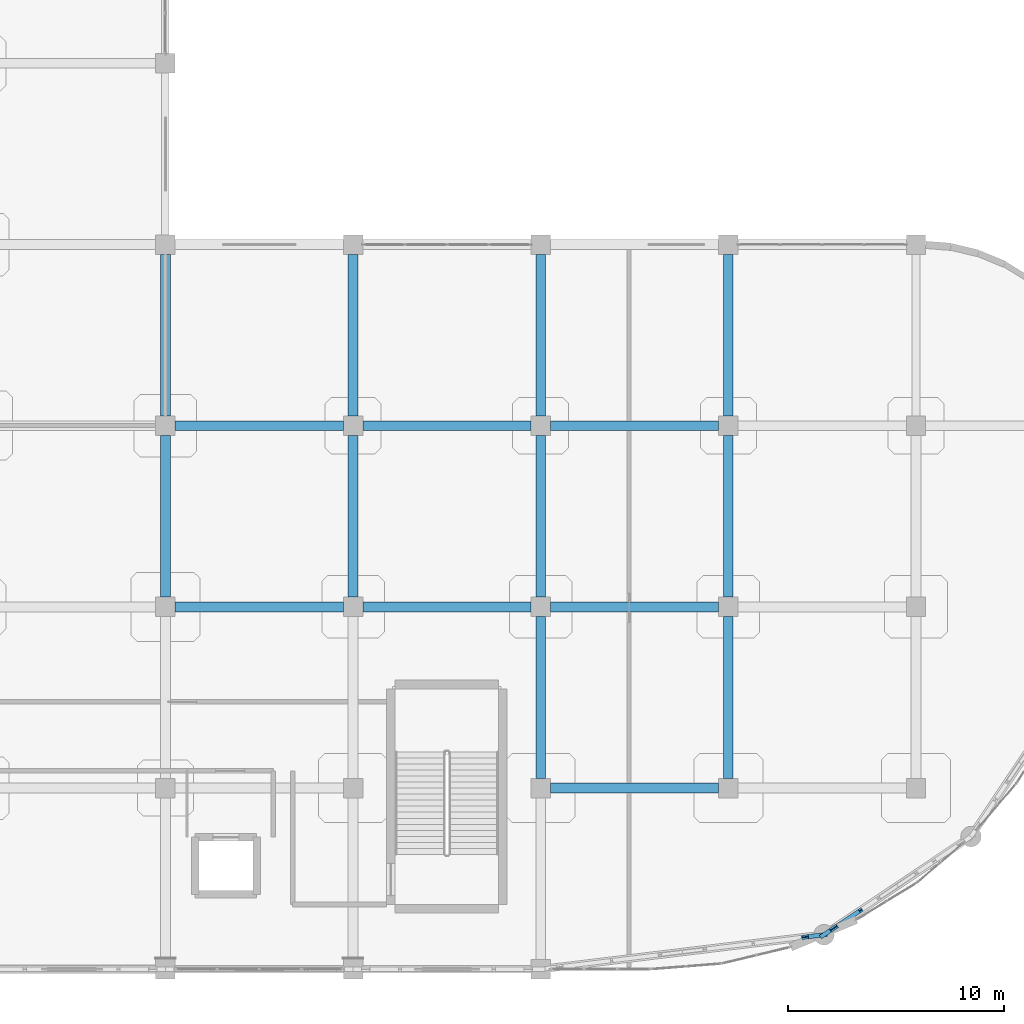
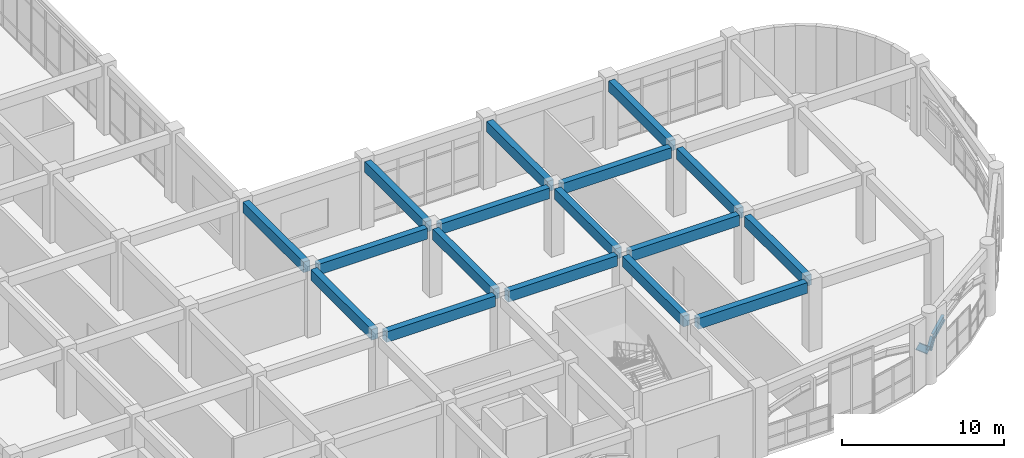
# One storey, part 55 of 114: 20 beams.
"""IFC4 building model written with IfcOpenShell, lengths in metres."""

from ifc_helpers import new_model, si_unit, derived_unit, direction, frame, origin, origin_2d, place, context, subcontext, project, spatial, rectangle, i_section, extrude, material, material_profile, profile_set, type_object, element, save


model = new_model("IFC4")

# Units and contexts
model_context = context("Model", 3, precision=1e-05, world=origin(), true_north=direction((0.0, 1.0)))
body_context = subcontext(model_context, "Body", "Model", "MODEL_VIEW")
ifc_project = project(units=[si_unit("LENGTHUNIT", "METRE"), si_unit("AREAUNIT", "SQUARE_METRE"), si_unit("VOLUMEUNIT", "CUBIC_METRE"), si_unit("PLANEANGLEUNIT", "RADIAN"), si_unit("MASSUNIT", "GRAM", prefix="KILO"), derived_unit("THERMALTRANSMITTANCEUNIT", [(si_unit("MASSUNIT", "GRAM", prefix="KILO"), 1), (si_unit("TIMEUNIT", "SECOND"), -3), (si_unit("THERMODYNAMICTEMPERATUREUNIT", "KELVIN"), -1)])], contexts=[model_context])

# Site, building, storey
site_placement = place(None, origin())
site = spatial("IfcSite", under=ifc_project, at=site_placement, CompositionType="ELEMENT")
building_placement = place(site_placement, origin())
building = spatial("IfcBuilding", under=site, at=building_placement, Name="Qinzheling Arcade Emporium", CompositionType="ELEMENT")
storey_placement = place(building_placement, frame((0.0, 0.0, 6.0)))
storey = spatial("IfcBuildingStorey", under=building, at=storey_placement, Name="L02", CompositionType="ELEMENT", Elevation=6.0)

# Beams
ifc_material_1 = material(Name="Weathering steel Q355NH", Category="steel")
ifc_material_profile_1 = material_profile(ifc_material_1, i_section(OverallWidth=0.199951171875, OverallDepth=0.5, WebThickness=0.010009765625, FlangeThickness=0.01611328125, FilletRadius=0.01806640625, at=origin_2d()), Name="HN 500x200x10x16", Category="steel")
ifc_profile_set_1 = profile_set([ifc_material_profile_1], Name="Weathering steel Q355NH")
beam_type_1 = type_object("IfcBeamType", Name="Arcade End Arch Rib HN500 Q355NH", PredefinedType="BEAM", material=ifc_profile_set_1)
beam_1_placement = place(storey_placement, frame((160.156005859375, 1.491943359375, 2.972900390625), z_axis=(0.773527051079, 0.09422263469, -0.626720030286), x_axis=(-0.120915365707, 0.992662820063, 0.0)))
element("IfcBeam", 1, at=beam_1_placement, inside=storey, type_object=beam_type_1, Name="Curved Arcade Entrance Arch ARC-L02-CV4-B01-C06", PredefinedType="BEAM", context=body_context, shape_type="SweptSolid", body=[
    extrude(i_section(OverallWidth=0.199951171875, OverallDepth=0.5, WebThickness=0.010009765625, FlangeThickness=0.01611328125, FilletRadius=0.01806640625, at=origin_2d()), origin(), (0.0, 0.0, 1.0), 1.137451171875),
])
beam_2_placement = place(storey_placement, frame((161.035888671875, 1.59912109375, 2.27490234375), z_axis=(0.506874389931, 0.338911195409, 0.792601762841), x_axis=(-0.555829349854, 0.831296417556, 0.0)))
element("IfcBeam", 2, at=beam_2_placement, inside=storey, type_object=beam_type_1, Name="Curved Arcade Entrance Arch ARC-L02-CV4-B02-C01", PredefinedType="BEAM", context=body_context, shape_type="SweptSolid", body=[
    extrude(i_section(OverallWidth=0.199951171875, OverallDepth=0.5, WebThickness=0.010009765625, FlangeThickness=0.01611328125, FilletRadius=0.01806640625, at=origin_2d()), origin(), (0.0, 0.0, 1.0), 0.899658203125),
])
beam_3_placement = place(storey_placement, frame((161.491943359375, 1.904052734375, 2.988037109375), z_axis=(0.785498900651, 0.524691121578, 0.328162618244), x_axis=(-0.555451324547, 0.831549052106, 0.0)))
element("IfcBeam", 3, at=beam_3_placement, inside=storey, type_object=beam_type_1, Name="Curved Arcade Entrance Arch ARC-L02-CV4-B02-C02", PredefinedType="BEAM", context=body_context, shape_type="SweptSolid", body=[
    extrude(i_section(OverallWidth=0.199951171875, OverallDepth=0.5, WebThickness=0.010009765625, FlangeThickness=0.01611328125, FilletRadius=0.01806640625, at=origin_2d()), origin(), (0.0, 0.0, 1.0), 1.587646484375),
])
ifc_material_2 = material(Name="Concrete C40", Category="concrete")
ifc_material_profile_2 = material_profile(ifc_material_2, rectangle(XDim=0.449951171875, YDim=0.800048828125, at=origin_2d()), Name="RC 450x800", Category="concrete")
ifc_profile_set_2 = profile_set([ifc_material_profile_2], Name="Concrete C40")
beam_type_2 = type_object("IfcBeamType", Name="RC Primary Frame Beam 450x800 C40", PredefinedType="BEAM", material=ifc_profile_set_2)
beam_4_placement = place(storey_placement, frame((148.35009765625, 8.39990234375, 4.705078125), z_axis=(1.0, 0.0, 0.0), x_axis=(0.0, 1.0, 0.0)))
element("IfcBeam", 4, at=beam_4_placement, inside=storey, type_object=beam_type_2, Name="Beam BM-L02-X-B-18", PredefinedType="BEAM", context=body_context, shape_type="SweptSolid", body=[
    extrude(rectangle(XDim=0.449951171875, YDim=0.800048828125, at=origin_2d()), origin(), (0.0, 0.0, 1.0), 7.7998046875),
])
for number, where, z_axis, x_axis, name in (
    (5, (130.949951171875, 16.800048828125, 4.705078125), (1.0, 0.0, 0.0), (0.0, 1.0, 0.0), "Beam BM-L02-X-C-16"),
    (6, (139.64990234375, 16.800048828125, 4.705078125), (1.0, 0.0, 0.0), (0.0, 1.0, 0.0), "Beam BM-L02-X-C-17"),
):
    element("IfcBeam", number, at=place(storey_placement, frame(where, z_axis=z_axis, x_axis=x_axis)), inside=storey, type_object=beam_type_2, Name=name, PredefinedType="BEAM", context=body_context, shape_type="SweptSolid", body=[
        extrude(rectangle(XDim=0.449951171875, YDim=0.800048828125, at=origin_2d()), origin(), (0.0, 0.0, 1.0), 7.800048828125),
    ])
beam_5_placement = place(storey_placement, frame((148.35009765625, 16.800048828125, 4.705078125), z_axis=(1.0, 0.0, 0.0), x_axis=(0.0, 1.0, 0.0)))
element("IfcBeam", 7, at=beam_5_placement, inside=storey, type_object=beam_type_2, Name="Beam BM-L02-X-C-18", PredefinedType="BEAM", context=body_context, shape_type="SweptSolid", body=[
    extrude(rectangle(XDim=0.449951171875, YDim=0.800048828125, at=origin_2d()), origin(), (0.0, 0.0, 1.0), 7.7998046875),
])
for number, where, z_axis, x_axis, name in (
    (8, (130.949951171875, 25.199951171875, 4.705078125), (1.0, 0.0, 0.0), (0.0, 1.0, 0.0), "Beam BM-L02-X-D-16"),
    (9, (139.64990234375, 25.199951171875, 4.705078125), (1.0, 0.0, 0.0), (0.0, 1.0, 0.0), "Beam BM-L02-X-D-17"),
):
    element("IfcBeam", number, at=place(storey_placement, frame(where, z_axis=z_axis, x_axis=x_axis)), inside=storey, type_object=beam_type_2, Name=name, PredefinedType="BEAM", context=body_context, shape_type="SweptSolid", body=[
        extrude(rectangle(XDim=0.449951171875, YDim=0.800048828125, at=origin_2d()), origin(), (0.0, 0.0, 1.0), 7.800048828125),
    ])
beam_6_placement = place(storey_placement, frame((148.35009765625, 25.199951171875, 4.705078125), z_axis=(1.0, 0.0, 0.0), x_axis=(0.0, 1.0, 0.0)))
element("IfcBeam", 10, at=beam_6_placement, inside=storey, type_object=beam_type_2, Name="Beam BM-L02-X-D-18", PredefinedType="BEAM", context=body_context, shape_type="SweptSolid", body=[
    extrude(rectangle(XDim=0.449951171875, YDim=0.800048828125, at=origin_2d()), origin(), (0.0, 0.0, 1.0), 7.7998046875),
])
for number, where, z_axis, x_axis, name in (
    (11, (130.5, 17.25, 4.705078125), (0.0, 1.0, 0.0), (-1.0, 0.0, 0.0), "Beam BM-L02-Y-16-C"),
    (12, (130.5, 25.64990234375, 4.705078125), (0.0, 1.0, 0.0), (-1.0, 0.0, 0.0), "Beam BM-L02-Y-16-D"),
    (13, (139.199951171875, 17.25, 4.705078125), (0.0, 1.0, 0.0), (-1.0, 0.0, 0.0), "Beam BM-L02-Y-17-C"),
    (14, (139.199951171875, 25.64990234375, 4.705078125), (0.0, 1.0, 0.0), (-1.0, 0.0, 0.0), "Beam BM-L02-Y-17-D"),
    (15, (147.89990234375, 8.85009765625, 4.705078125), (0.0, 1.0, 0.0), (-1.0, 0.0, 0.0), "Beam BM-L02-Y-18-B"),
    (16, (147.89990234375, 17.25, 4.705078125), (0.0, 1.0, 0.0), (-1.0, 0.0, 0.0), "Beam BM-L02-Y-18-C"),
    (17, (147.89990234375, 25.64990234375, 4.705078125), (0.0, 1.0, 0.0), (-1.0, 0.0, 0.0), "Beam BM-L02-Y-18-D"),
    (18, (156.60009765625, 8.85009765625, 4.705078125), (0.0, 1.0, 0.0), (-1.0, 0.0, 0.0), "Beam BM-L02-Y-19-B"),
    (19, (156.60009765625, 17.25, 4.705078125), (0.0, 1.0, 0.0), (-1.0, 0.0, 0.0), "Beam BM-L02-Y-19-C"),
    (20, (156.60009765625, 25.64990234375, 4.705078125), (0.0, 1.0, 0.0), (-1.0, 0.0, 0.0), "Beam BM-L02-Y-19-D"),
):
    element("IfcBeam", number, at=place(storey_placement, frame(where, z_axis=z_axis, x_axis=x_axis)), inside=storey, type_object=beam_type_2, Name=name, PredefinedType="BEAM", context=body_context, shape_type="SweptSolid", body=[
        extrude(rectangle(XDim=0.449951171875, YDim=0.800048828125, at=origin_2d()), origin(), (0.0, 0.0, 1.0), 7.5),
    ])

save(model, "model.ifc")
